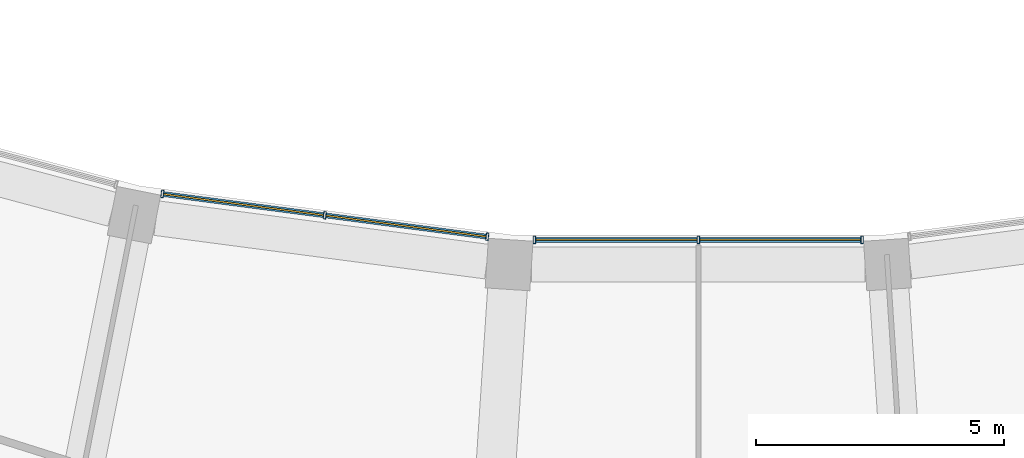
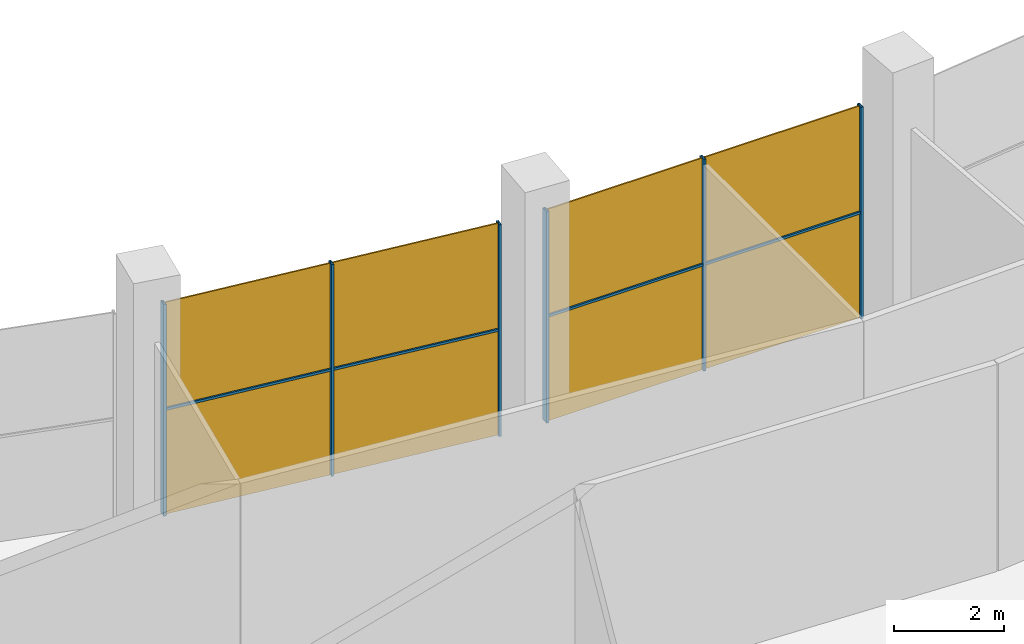
# One storey, part 28 of 41: 10 members, 2 curtain walls.
"""IFC4 building model written with IfcOpenShell, lengths in metres."""

from ifc_helpers import new_model, si_unit, direction, frame, origin, origin_2d, place, context, subcontext, project, spatial, rectangle, hollow_rectangle, extrude, material, material_profile, profile_set, type_object, element, aggregate, save


model = new_model("IFC4")

# Units and contexts
model_context = context("Model", 3, precision=1e-05, world=origin(), true_north=direction((0.0, 1.0)))
body_context = subcontext(model_context, "Body", "Model", "MODEL_VIEW")
ifc_project = project(units=[si_unit("LENGTHUNIT", "METRE"), si_unit("AREAUNIT", "SQUARE_METRE"), si_unit("VOLUMEUNIT", "CUBIC_METRE"), si_unit("PLANEANGLEUNIT", "RADIAN"), si_unit("MASSUNIT", "GRAM", prefix="KILO")], contexts=[model_context])

# Member
ifc_material = material(Name="Steel S355", Category="steel")
ifc_material_profile_1 = material_profile(ifc_material, hollow_rectangle(XDim=0.14990234375, YDim=0.050048828125, WallThickness=0.0048828125, at=origin_2d()))
ifc_profile_set_1 = profile_set([ifc_material_profile_1], Name="Steel S355")
member_type_1 = type_object("IfcMemberType", Name="Mullion RHS 150x50x5 steel S355", PredefinedType="MULLION", material=ifc_profile_set_1)
site_placement = place(None, origin())
building_placement = place(site_placement, origin())
storey_placement = place(building_placement, frame((0.0, 0.0, 284.699951171875)))
member_1_placement = place(storey_placement, frame((-10.7939453125, -56.702880859375, 0.0), z_axis=(0.0, 0.0, 1.0), x_axis=(0.13052619222, 0.991444861374, 0.0)))
member_1 = element("IfcMember", 1, at=member_1_placement, type_object=member_type_1, Name="e-cw5-L69-in06/M00", PredefinedType="MULLION", context=body_context, shape_type="SweptSolid", body=[
    extrude(hollow_rectangle(XDim=0.14990234375, YDim=0.050048828125, WallThickness=0.0048828125, at=origin_2d()), origin(), (0.0, 0.0, 1.0), 4.699951171875),
])

member_2_placement = place(storey_placement, frame((-7.521728515625, -57.133544921875, 0.0), z_axis=(0.0, 0.0, 1.0), x_axis=(0.13052619222, 0.991444861374, 0.0)))
member_2 = element("IfcMember", 2, at=member_2_placement, type_object=member_type_1, Name="e-cw5-L69-in06/M01", PredefinedType="MULLION", context=body_context, shape_type="SweptSolid", body=[
    extrude(hollow_rectangle(XDim=0.14990234375, YDim=0.050048828125, WallThickness=0.0048828125, at=origin_2d()), origin(), (0.0, 0.0, 1.0), 4.699951171875),
])

member_3_placement = place(storey_placement, frame((-4.24951171875, -57.564453125, 0.0), z_axis=(0.0, 0.0, 1.0), x_axis=(0.13052619222, 0.991444861374, 0.0)))
member_3 = element("IfcMember", 3, at=member_3_placement, type_object=member_type_1, Name="e-cw5-L69-in06/M02", PredefinedType="MULLION", context=body_context, shape_type="SweptSolid", body=[
    extrude(hollow_rectangle(XDim=0.14990234375, YDim=0.050048828125, WallThickness=0.0048828125, at=origin_2d()), origin(), (0.0, 0.0, 1.0), 4.699951171875),
])

member_4_placement = place(storey_placement, frame((-3.300537109375, -57.62646484375, 0.0), z_axis=(0.0, 0.0, 1.0), x_axis=(0.0, 1.0, 0.0)))
member_4 = element("IfcMember", 4, at=member_4_placement, type_object=member_type_1, Name="e-cw5-L69-in07/M00", PredefinedType="MULLION", context=body_context, shape_type="SweptSolid", body=[
    extrude(hollow_rectangle(XDim=0.14990234375, YDim=0.050048828125, WallThickness=0.0048828125, at=origin_2d()), origin(), (0.0, 0.0, 1.0), 4.699951171875),
])

member_5_placement = place(storey_placement, frame((0.0, -57.62646484375, 0.0), z_axis=(0.0, 0.0, 1.0), x_axis=(0.0, 1.0, 0.0)))
member_5 = element("IfcMember", 5, at=member_5_placement, type_object=member_type_1, Name="e-cw5-L69-in07/M01", PredefinedType="MULLION", context=body_context, shape_type="SweptSolid", body=[
    extrude(hollow_rectangle(XDim=0.14990234375, YDim=0.050048828125, WallThickness=0.0048828125, at=origin_2d()), origin(), (0.0, 0.0, 1.0), 4.699951171875),
])

member_6_placement = place(storey_placement, frame((3.300537109375, -57.62646484375, 0.0), z_axis=(0.0, 0.0, 1.0), x_axis=(0.0, 1.0, 0.0)))
member_6 = element("IfcMember", 6, at=member_6_placement, type_object=member_type_1, Name="e-cw5-L69-in07/M02", PredefinedType="MULLION", context=body_context, shape_type="SweptSolid", body=[
    extrude(hollow_rectangle(XDim=0.14990234375, YDim=0.050048828125, WallThickness=0.0048828125, at=origin_2d()), origin(), (0.0, 0.0, 1.0), 4.699951171875),
])

ifc_material_profile_2 = material_profile(ifc_material, hollow_rectangle(XDim=0.10009765625, YDim=0.050048828125, WallThickness=0.00390625, at=origin_2d()))
ifc_profile_set_2 = profile_set([ifc_material_profile_2], Name="Steel S355")
member_type_2 = type_object("IfcMemberType", Name="Transom RHS 100x50x4 steel S355", PredefinedType="USERDEFINED", material=ifc_profile_set_2)
member_7_placement = place(storey_placement, frame((-10.769287109375, -56.7060546875, 2.35009765625), z_axis=(0.991443043354, -0.130540000708, 0.0), x_axis=(0.130540000708, 0.991443043354, 0.0)))
member_7 = element("IfcMember", 7, at=member_7_placement, type_object=member_type_2, Name="e-cw5-L69-in06/T00", ObjectType="TRANSOM", PredefinedType="USERDEFINED", context=body_context, shape_type="SweptSolid", body=[
    extrude(hollow_rectangle(XDim=0.10009765625, YDim=0.050048828125, WallThickness=0.00390625, at=origin_2d()), origin(), (0.0, 0.0, 1.0), 3.25048828125),
])

member_8_placement = place(storey_placement, frame((-7.4970703125, -57.13671875, 2.35009765625), z_axis=(0.991443043354, -0.130540000708, 0.0), x_axis=(0.130540000708, 0.991443043354, 0.0)))
member_8 = element("IfcMember", 8, at=member_8_placement, type_object=member_type_2, Name="e-cw5-L69-in06/T01", ObjectType="TRANSOM", PredefinedType="USERDEFINED", context=body_context, shape_type="SweptSolid", body=[
    extrude(hollow_rectangle(XDim=0.10009765625, YDim=0.050048828125, WallThickness=0.00390625, at=origin_2d()), origin(), (0.0, 0.0, 1.0), 3.25048828125),
])

member_9_placement = place(storey_placement, frame((-3.275390625, -57.62646484375, 2.35009765625), z_axis=(1.0, 0.0, 0.0), x_axis=(0.0, 1.0, 0.0)))
member_9 = element("IfcMember", 9, at=member_9_placement, type_object=member_type_2, Name="e-cw5-L69-in07/T00", ObjectType="TRANSOM", PredefinedType="USERDEFINED", context=body_context, shape_type="SweptSolid", body=[
    extrude(hollow_rectangle(XDim=0.10009765625, YDim=0.050048828125, WallThickness=0.00390625, at=origin_2d()), origin(), (0.0, 0.0, 1.0), 3.25048828125),
])

member_10_placement = place(storey_placement, frame((0.02490234375, -57.62646484375, 2.35009765625), z_axis=(1.0, 0.0, 0.0), x_axis=(0.0, 1.0, 0.0)))
member_10 = element("IfcMember", 10, at=member_10_placement, type_object=member_type_2, Name="e-cw5-L69-in07/T01", ObjectType="TRANSOM", PredefinedType="USERDEFINED", context=body_context, shape_type="SweptSolid", body=[
    extrude(hollow_rectangle(XDim=0.10009765625, YDim=0.050048828125, WallThickness=0.00390625, at=origin_2d()), origin(), (0.0, 0.0, 1.0), 3.25048828125),
])

# Site, building, storey
site = spatial("IfcSite", under=ifc_project, at=site_placement, CompositionType="ELEMENT")
building = spatial("IfcBuilding", under=site, at=building_placement, Name="Qamariyya Broadcast Tower", CompositionType="ELEMENT")
storey = spatial("IfcBuildingStorey", under=building, at=storey_placement, Name="L69", CompositionType="ELEMENT", Elevation=284.699951171875)

# Curtain wall
curtain_wall_type = type_object("IfcCurtainWallType", Name="Observation gallery all-glass wall, steel mullions", PredefinedType="NOTDEFINED", material=ifc_material)
curtain_wall_1_placement = place(storey_placement, origin())
curtain_wall_1 = element("IfcCurtainWall", 11, at=curtain_wall_1_placement, inside=storey, type_object=curtain_wall_type, Name="e-cw5-L69-in06", PredefinedType="NOTDEFINED", context=body_context, shape_type="SweptSolid", body=[
    extrude(rectangle(XDim=3.25048828125, YDim=0.031982421875, at=origin_2d()), frame((-9.157958984375, -56.918212890625, 0.0), x_axis=(0.991443922238, -0.130533325465, 0.0)), (0.0, 0.0, 1.0), 2.324951171875),
    extrude(rectangle(XDim=3.25048828125, YDim=0.031982421875, at=origin_2d()), frame((-9.157958984375, -56.918212890625, 2.375), x_axis=(0.991443922238, -0.130533325465, 0.0)), (0.0, 0.0, 1.0), 2.324951171875),
    extrude(rectangle(XDim=3.25048828125, YDim=0.031982421875, at=origin_2d()), frame((-5.8857421875, -57.348876953125, 0.0), x_axis=(0.991443922238, -0.130533325465, 0.0)), (0.0, 0.0, 1.0), 2.324951171875),
    extrude(rectangle(XDim=3.25048828125, YDim=0.031982421875, at=origin_2d()), frame((-5.8857421875, -57.348876953125, 2.375), x_axis=(0.991443922238, -0.130533325465, 0.0)), (0.0, 0.0, 1.0), 2.324951171875),
])

aggregate(curtain_wall_1, [member_1, member_2, member_3, member_7, member_8])

curtain_wall_2_placement = place(storey_placement, origin())
curtain_wall_2 = element("IfcCurtainWall", 12, at=curtain_wall_2_placement, inside=storey, type_object=curtain_wall_type, Name="e-cw5-L69-in07", PredefinedType="NOTDEFINED", context=body_context, shape_type="SweptSolid", body=[
    extrude(rectangle(XDim=3.25048828125, YDim=0.031982421875, at=origin_2d()), frame((-1.650146484375, -57.62646484375, 0.0), x_axis=(1.0, 0.0, 0.0)), (0.0, 0.0, 1.0), 2.324951171875),
    extrude(rectangle(XDim=3.25048828125, YDim=0.031982421875, at=origin_2d()), frame((-1.650146484375, -57.62646484375, 2.375), x_axis=(1.0, 0.0, 0.0)), (0.0, 0.0, 1.0), 2.324951171875),
    extrude(rectangle(XDim=3.25048828125, YDim=0.031982421875, at=origin_2d()), frame((1.650146484375, -57.62646484375, 0.0), x_axis=(1.0, 0.0, 0.0)), (0.0, 0.0, 1.0), 2.324951171875),
    extrude(rectangle(XDim=3.25048828125, YDim=0.031982421875, at=origin_2d()), frame((1.650146484375, -57.62646484375, 2.375), x_axis=(1.0, 0.0, 0.0)), (0.0, 0.0, 1.0), 2.324951171875),
])

aggregate(curtain_wall_2, [member_4, member_5, member_6, member_9, member_10])

save(model, "model.ifc")
